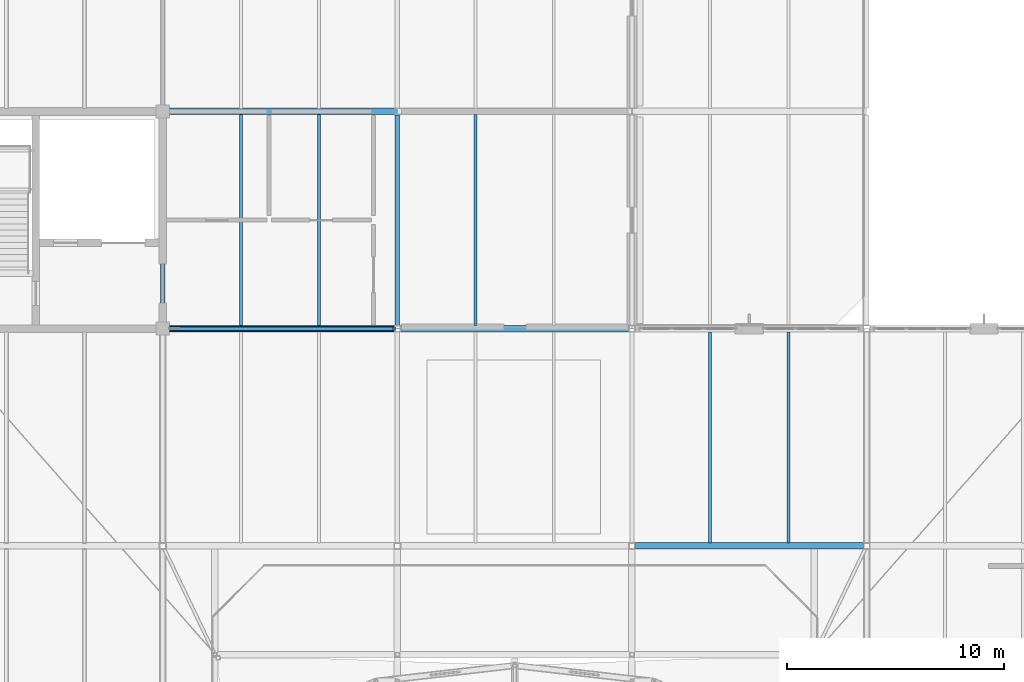
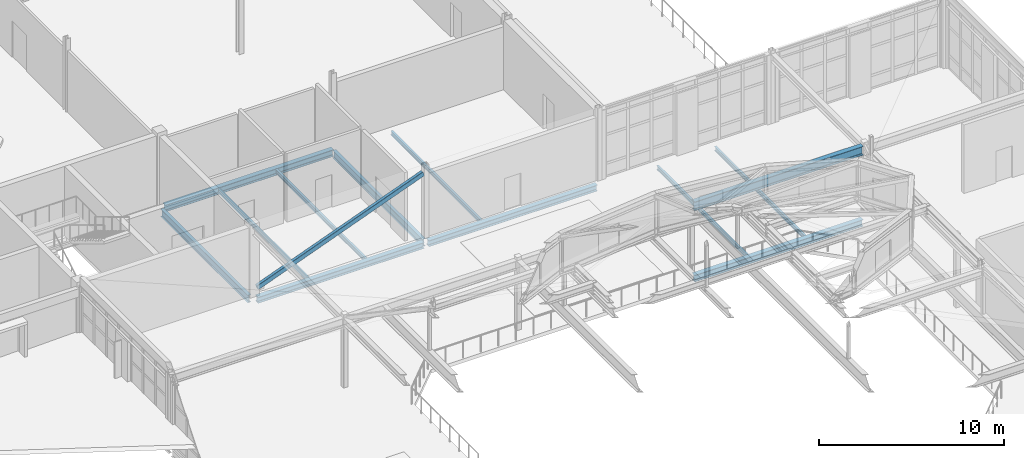
# One storey, part 38 of 86: 12 beams, 1 member.
"""IFC4 building model written with IfcOpenShell, lengths in metres."""

from ifc_helpers import new_model, si_unit, direction, frame, origin, origin_2d, place, context, subcontext, project, spatial, hollow_rectangle, i_section, extrude, material, material_profile, profile_set, type_object, element, save


model = new_model("IFC4")

# Units and contexts
model_context = context("Model", 3, precision=1e-05, world=origin(), true_north=direction((0.0, 1.0)))
body_context = subcontext(model_context, "Body", "Model", "MODEL_VIEW")
ifc_project = project(units=[si_unit("LENGTHUNIT", "METRE"), si_unit("AREAUNIT", "SQUARE_METRE"), si_unit("VOLUMEUNIT", "CUBIC_METRE"), si_unit("PLANEANGLEUNIT", "RADIAN"), si_unit("MASSUNIT", "GRAM", prefix="KILO")], contexts=[model_context])

# Site, building, storey
site_placement = place(None, origin())
site = spatial("IfcSite", under=ifc_project, at=site_placement, CompositionType="ELEMENT")
building_placement = place(site_placement, origin())
building = spatial("IfcBuilding", under=site, at=building_placement, Name="Tasgan Crest Museum", CompositionType="ELEMENT")
storey_placement = place(building_placement, frame((0.0, 0.0, 24.0)))
storey = spatial("IfcBuildingStorey", under=building, at=storey_placement, Name="L04", CompositionType="ELEMENT", Elevation=24.0)

# Beams
ifc_material_1 = material(Name="Steel S355J2", Category="steel")
ifc_material_profile_1 = material_profile(ifc_material_1, i_section(OverallWidth=0.300048828125, OverallDepth=0.43994140625, WebThickness=0.011474609375, FlangeThickness=0.02099609375, FilletRadius=0.027099609375, at=origin_2d()), Name="HEA 450")
ifc_profile_set_1 = profile_set([ifc_material_profile_1], Name="Steel S355J2")
beam_type_1 = type_object("IfcBeamType", Name="BM-G-HEA450", PredefinedType="BEAM", material=ifc_profile_set_1)
beam_1_placement = place(storey_placement, frame((86.5458984375, 72.0, -0.4599609375), z_axis=(1.0, 0.0, 0.0), x_axis=(0.0, 1.0, 0.0)))
element("IfcBeam", 1, at=beam_1_placement, inside=storey, type_object=beam_type_1, Name="Girder L04 H 86.4-97.2", PredefinedType="BEAM", context=body_context, shape_type="SweptSolid", body=[
    extrude(i_section(OverallWidth=0.300048828125, OverallDepth=0.43994140625, WebThickness=0.011474609375, FlangeThickness=0.02099609375, FilletRadius=0.027099609375, at=origin_2d()), origin(), (0.0, 0.0, 1.0), 10.508056640625),
])
beam_2_placement = place(storey_placement, frame((65.095947265625, 92.0, -0.4599609375), z_axis=(1.0, 0.0, 0.0), x_axis=(0.0, 1.0, 0.0)))
element("IfcBeam", 2, at=beam_2_placement, inside=storey, type_object=beam_type_1, Name="Girder L04 K 64.8-75.6", PredefinedType="BEAM", context=body_context, shape_type="SweptSolid", body=[
    extrude(i_section(OverallWidth=0.300048828125, OverallDepth=0.43994140625, WebThickness=0.011474609375, FlangeThickness=0.02099609375, FilletRadius=0.027099609375, at=origin_2d()), origin(), (0.0, 0.0, 1.0), 10.5),
])
ifc_material_2 = material(Name="Steel S355J2", Category="steel")
ifc_material_profile_2 = material_profile(ifc_material_2, i_section(OverallWidth=0.300048828125, OverallDepth=0.590087890625, WebThickness=0.012939453125, FlangeThickness=0.02490234375, FilletRadius=0.027099609375, at=origin_2d()), Name="HEA 600")
ifc_profile_set_2 = profile_set([ifc_material_profile_2], Name="Steel S355J2")
beam_type_2 = type_object("IfcBeamType", Name="BM-G-HEA600", PredefinedType="BEAM", material=ifc_profile_set_2)
beam_3_placement = place(storey_placement, frame((86.5458984375, 72.0, 4.304931640625), z_axis=(1.0, 0.0, 0.0), x_axis=(0.0, 1.0, 0.0)))
element("IfcBeam", 3, at=beam_3_placement, inside=storey, type_object=beam_type_2, Name="Winter-garden roof girder H 86.4-97.2", PredefinedType="BEAM", context=body_context, shape_type="SweptSolid", body=[
    extrude(i_section(OverallWidth=0.300048828125, OverallDepth=0.590087890625, WebThickness=0.012939453125, FlangeThickness=0.02490234375, FilletRadius=0.027099609375, at=origin_2d()), origin(), (0.0, 0.0, 1.0), 10.508056640625),
])
ifc_material_3 = material(Name="Steel S355J2", Category="steel")
ifc_material_profile_3 = material_profile(ifc_material_3, i_section(OverallWidth=0.300048828125, OverallDepth=0.39990234375, WebThickness=0.013427734375, FlangeThickness=0.02392578125, FilletRadius=0.027099609375, at=origin_2d()), Name="HEB 400")
ifc_profile_set_3 = profile_set([ifc_material_profile_3], Name="Steel S355J2")
beam_type_3 = type_object("IfcBeamType", Name="BM-G-HEB400", PredefinedType="BEAM", material=ifc_profile_set_3)
beam_4_placement = place(storey_placement, frame((65.095947265625, 82.0, -0.43994140625), z_axis=(1.0, 0.0, 0.0), x_axis=(0.0, 1.0, 0.0)))
element("IfcBeam", 4, at=beam_4_placement, inside=storey, type_object=beam_type_3, Name="Girder L04 J 64.8-75.6", PredefinedType="BEAM", context=body_context, shape_type="SweptSolid", body=[
    extrude(i_section(OverallWidth=0.300048828125, OverallDepth=0.39990234375, WebThickness=0.013427734375, FlangeThickness=0.02392578125, FilletRadius=0.027099609375, at=origin_2d()), origin(), (0.0, 0.0, 1.0), 10.358154296875),
])
beam_5_placement = place(storey_placement, frame((75.74609375, 82.0, -0.43994140625), z_axis=(1.0, 0.0, 0.0), x_axis=(0.0, 1.0, 0.0)))
element("IfcBeam", 5, at=beam_5_placement, inside=storey, type_object=beam_type_3, Name="Girder L04 J 75.6-86.4", PredefinedType="BEAM", context=body_context, shape_type="SweptSolid", body=[
    extrude(i_section(OverallWidth=0.300048828125, OverallDepth=0.39990234375, WebThickness=0.013427734375, FlangeThickness=0.02392578125, FilletRadius=0.027099609375, at=origin_2d()), origin(), (0.0, 0.0, 1.0), 10.5078125),
])
ifc_material_4 = material(Name="Steel S355J2", Category="steel")
ifc_material_profile_4 = material_profile(ifc_material_4, i_section(OverallWidth=0.199951171875, OverallDepth=0.5, WebThickness=0.01025390625, FlangeThickness=0.01611328125, FilletRadius=0.02099609375, at=origin_2d()), Name="IPE 500")
ifc_profile_set_4 = profile_set([ifc_material_profile_4], Name="Steel S355J2")
beam_type_4 = type_object("IfcBeamType", Name="BM-G-IPE500", PredefinedType="BEAM", material=ifc_profile_set_4)
beam_6_placement = place(storey_placement, frame((64.800048828125, 82.294921875, -0.489990234375), z_axis=(0.0, 1.0, 0.0), x_axis=(-1.0, 0.0, 0.0)))
element("IfcBeam", 6, at=beam_6_placement, inside=storey, type_object=beam_type_4, Name="Beam L04 7 82.0-92.0", PredefinedType="BEAM", context=body_context, shape_type="SweptSolid", body=[
    extrude(i_section(OverallWidth=0.199951171875, OverallDepth=0.5, WebThickness=0.01025390625, FlangeThickness=0.01611328125, FilletRadius=0.02099609375, at=origin_2d()), origin(), (0.0, 0.0, 1.0), 9.41015625),
])
beam_7_placement = place(storey_placement, frame((75.60009765625, 82.14501953125, -0.489990234375), z_axis=(0.0, 1.0, 0.0), x_axis=(-1.0, 0.0, 0.0)))
element("IfcBeam", 7, at=beam_7_placement, inside=storey, type_object=beam_type_4, Name="Beam L04 8 82.0-92.0", PredefinedType="BEAM", context=body_context, shape_type="SweptSolid", body=[
    extrude(i_section(OverallWidth=0.199951171875, OverallDepth=0.5, WebThickness=0.01025390625, FlangeThickness=0.01611328125, FilletRadius=0.02099609375, at=origin_2d()), origin(), (0.0, 0.0, 1.0), 9.68505859375),
])
ifc_material_5 = material(Name="Steel S355J2", Category="steel")
ifc_material_profile_5 = material_profile(ifc_material_5, i_section(OverallWidth=0.135009765625, OverallDepth=0.27001953125, WebThickness=0.006591796875, FlangeThickness=0.01025390625, FilletRadius=0.014892578125, at=origin_2d()), Name="IPE 270")
ifc_profile_set_5 = profile_set([ifc_material_profile_5], Name="Steel S355J2")
beam_type_5 = type_object("IfcBeamType", Name="BM-J-IPE270", PredefinedType="JOIST", material=ifc_profile_set_5)
for number, where, z_axis, x_axis, name in (
    (8, (68.39990234375, 82.14501953125, -0.375), (0.0, 1.0, 0.0), (-1.0, 0.0, 0.0), "Secondary joist L04 X=68.4 Y=82.0-92.0"),
    (9, (72.0, 82.14501953125, -0.375), (0.0, 1.0, 0.0), (-1.0, 0.0, 0.0), "Secondary joist L04 X=72.0 Y=82.0-92.0"),
    (10, (79.199951171875, 82.14501953125, -0.375), (0.0, 1.0, 0.0), (-1.0, 0.0, 0.0), "Secondary joist L04 X=79.2 Y=82.0-92.0"),
    (11, (90.0, 72.14501953125, -0.375), (0.0, 1.0, 0.0), (-1.0, 0.0, 0.0), "Secondary joist L04 X=90.0 Y=72.0-82.0"),
    (12, (93.60009765625, 72.14501953125, -0.375), (0.0, 1.0, 0.0), (-1.0, 0.0, 0.0), "Secondary joist L04 X=93.6 Y=72.0-82.0"),
):
    element("IfcBeam", number, at=place(storey_placement, frame(where, z_axis=z_axis, x_axis=x_axis)), inside=storey, type_object=beam_type_5, Name=name, PredefinedType="JOIST", context=body_context, shape_type="SweptSolid", body=[
        extrude(i_section(OverallWidth=0.135009765625, OverallDepth=0.27001953125, WebThickness=0.006591796875, FlangeThickness=0.01025390625, FilletRadius=0.014892578125, at=origin_2d()), origin(), (0.0, 0.0, 1.0), 9.7099609375),
    ])

# Member
ifc_material_6 = material(Name="Steel S355K2", Category="steel")
ifc_material_profile_6 = material_profile(ifc_material_6, hollow_rectangle(XDim=0.199951171875, YDim=0.300048828125, WallThickness=0.012451171875, InnerFilletRadius=0.012451171875, OuterFilletRadius=0.02490234375, at=origin_2d()), Name="RHS 300x200x12.5")
ifc_profile_set_6 = profile_set([ifc_material_profile_6], Name="Steel S355K2")
member_type = type_object("IfcMemberType", Name="MEM-BR-RHS300", PredefinedType="BRACE", material=ifc_profile_set_6)
member_placement = place(storey_placement, frame((65.10009765625, 82.0, 0.35009765625), z_axis=(0.93577192661, 0.0, 0.352605872566), x_axis=(0.0, 1.0, 0.0)))
element("IfcMember", 13, at=member_placement, inside=storey, type_object=member_type, Name="Diagonal brace L04 J 64.8-75.6", PredefinedType="BRACE", context=body_context, shape_type="SweptSolid", body=[
    extrude(hollow_rectangle(XDim=0.199951171875, YDim=0.300048828125, WallThickness=0.012451171875, InnerFilletRadius=0.012451171875, OuterFilletRadius=0.02490234375, at=origin_2d()), origin(), (0.0, 0.0, 1.0), 11.060302734375),
])

save(model, "model.ifc")
